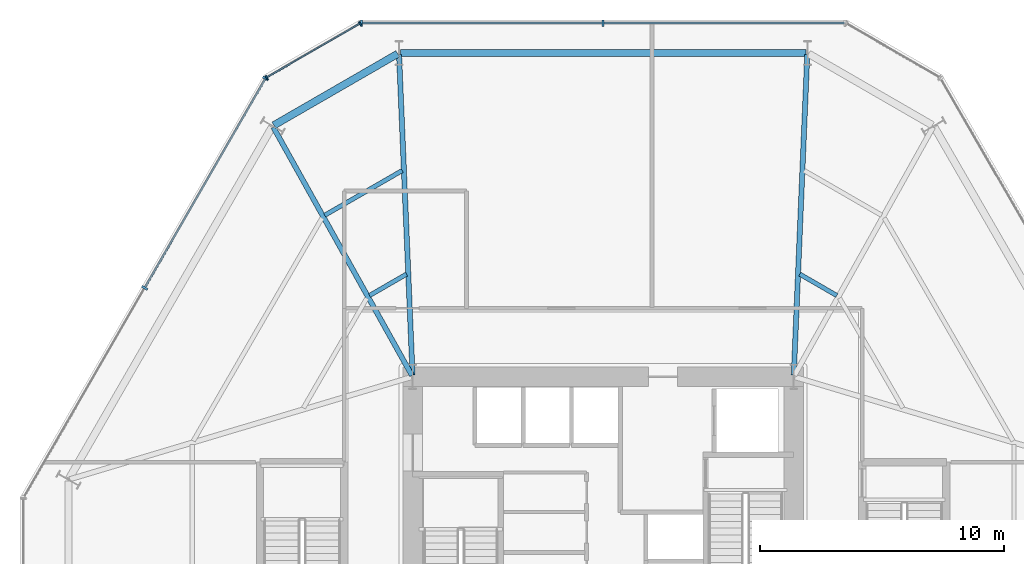
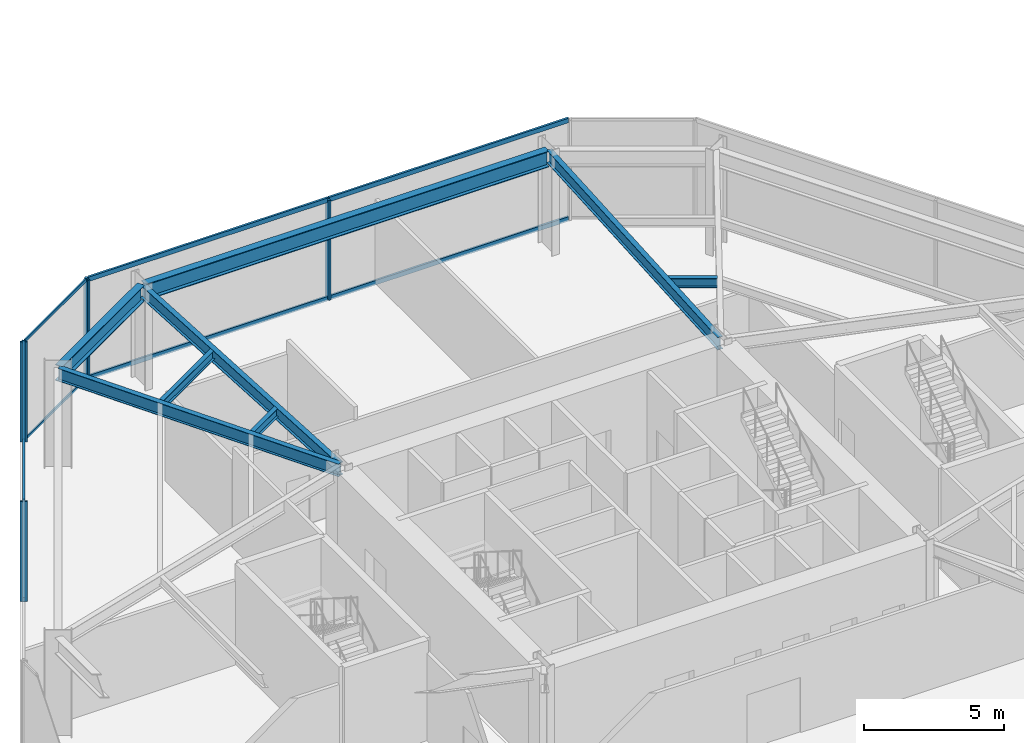
# One storey, part 12 of 23: 14 members, 8 beams, 3 elements without a shape of their own.
"""IFC4 building model written with IfcOpenShell, lengths in metres."""

from ifc_helpers import new_model, si_unit, direction, frame, origin, origin_2d, place, context, subcontext, project, spatial, rectangle, i_section, extrude, material, layer, layer_set, material_profile, profile_set, type_object, element, aggregate, save


model = new_model("IFC4")

# Units and contexts
model_context = context("Model", 3, precision=1e-05, world=origin(), true_north=direction((0.0, 1.0)))
body_context = subcontext(model_context, "Body", "Model", "MODEL_VIEW")
ifc_project = project(units=[si_unit("LENGTHUNIT", "METRE"), si_unit("AREAUNIT", "SQUARE_METRE"), si_unit("VOLUMEUNIT", "CUBIC_METRE"), si_unit("PLANEANGLEUNIT", "RADIAN"), si_unit("MASSUNIT", "GRAM", prefix="KILO")], contexts=[model_context])

# Site, building, storey
site_placement = place(None, origin())
site = spatial("IfcSite", under=ifc_project, at=site_placement, CompositionType="ELEMENT")
building_placement = place(site_placement, origin())
building = spatial("IfcBuilding", under=site, at=building_placement, Name="Kranzbogen Civic Tower", CompositionType="ELEMENT")
storey_placement = place(building_placement, frame((0.0, 0.0, 9.800048828125)))
storey = spatial("IfcBuildingStorey", under=building, at=storey_placement, Name="L02", CompositionType="ELEMENT", Elevation=9.800048828125)

# Curtain wall, members
ifc_material_1 = material(Name="Pale Anodised Aluminium", Category="aluminium")
ifc_layer_1 = layer(ifc_material_1, 0.219970703125, Name="Pale Anodised Aluminium")
ifc_layer_set_1 = layer_set([ifc_layer_1], Name="Pale Anodised Aluminium")
curtain_wall_type_1 = type_object("IfcCurtainWallType", Name="Chamfer Facet Stick Curtain Wall System CW-06", PredefinedType="USERDEFINED", material=ifc_layer_set_1)
curtain_wall_1_placement = place(storey_placement, origin())
curtain_wall_1 = element("IfcCurtainWall", 1, at=curtain_wall_1_placement, inside=storey, type_object=curtain_wall_type_1, Name="L02 curtain wall CW-L02-C2", ObjectType="STICK CURTAIN WALL", PredefinedType="USERDEFINED")
ifc_material_profile_1 = material_profile(ifc_material_1, rectangle(XDim=0.06005859375, YDim=0.159912109375, at=origin_2d()), Name="ALU-M 60x160")
ifc_profile_set_1 = profile_set([ifc_material_profile_1], Name="Pale Anodised Aluminium")
member_type_1 = type_object("IfcMemberType", Name="Curtain Wall Mullion ALU-M 60x160", PredefinedType="MULLION", material=ifc_profile_set_1)
member_1_placement = place(storey_placement, frame((15.0439453125, 46.657958984375, 0.0), z_axis=(0.0, 0.0, 1.0), x_axis=(-0.865992001897, -0.500057849305, 0.0)))
member_1 = element("IfcMember", 2, at=member_1_placement, type_object=member_type_1, Name="CW-06 mullion 1", PredefinedType="MULLION", context=body_context, shape_type="SweptSolid", body=[
    extrude(rectangle(XDim=0.06005859375, YDim=0.159912109375, at=origin_2d()), origin(), (0.0, 0.0, 1.0), 4.33984375),
])
member_2_placement = place(storey_placement, frame((11.221923828125, 44.450927734375, 0.0), z_axis=(0.0, 0.0, 1.0), x_axis=(-0.865992001897, -0.500057849305, 0.0)))
member_2 = element("IfcMember", 3, at=member_2_placement, type_object=member_type_1, Name="CW-06 mullion 2", PredefinedType="MULLION", context=body_context, shape_type="SweptSolid", body=[
    extrude(rectangle(XDim=0.06005859375, YDim=0.159912109375, at=origin_2d()), origin(), (0.0, 0.0, 1.0), 4.33984375),
])

ifc_layer_2 = layer(ifc_material_1, 0.219970703125, Name="Pale Anodised Aluminium")
ifc_layer_set_2 = layer_set([ifc_layer_2], Name="Pale Anodised Aluminium")
curtain_wall_type_2 = type_object("IfcCurtainWallType", Name="Podium Stick Curtain Wall System CW-01", PredefinedType="USERDEFINED", material=ifc_layer_set_2)
curtain_wall_2_placement = place(storey_placement, origin())
curtain_wall_2 = element("IfcCurtainWall", 4, at=curtain_wall_2_placement, inside=storey, type_object=curtain_wall_type_2, Name="L02 curtain wall CW-L02-F2", ObjectType="STICK CURTAIN WALL", PredefinedType="USERDEFINED")
ifc_material_profile_2 = material_profile(ifc_material_1, rectangle(XDim=0.0849609375, YDim=0.260009765625, at=origin_2d()), Name="ALU-M 85x260")
ifc_profile_set_2 = profile_set([ifc_material_profile_2], Name="Pale Anodised Aluminium")
member_type_2 = type_object("IfcMemberType", Name="Curtain Wall Mullion ALU-M 85x260", PredefinedType="MULLION", material=ifc_profile_set_2)
member_3_placement = place(storey_placement, frame((25.0, 46.673095703125, 0.0), z_axis=(0.0, 0.0, 1.0), x_axis=(-1.0, 0.0, 0.0)))
member_3 = element("IfcMember", 5, at=member_3_placement, type_object=member_type_2, Name="CW-01 mullion 2", PredefinedType="MULLION", context=body_context, shape_type="SweptSolid", body=[
    extrude(rectangle(XDim=0.0849609375, YDim=0.260009765625, at=origin_2d()), origin(), (0.0, 0.0, 1.0), 4.33984375),
])
member_4_placement = place(storey_placement, frame((15.10009765625, 46.673095703125, 0.0), z_axis=(0.0, 0.0, 1.0), x_axis=(-1.0, 0.0, 0.0)))
member_4 = element("IfcMember", 6, at=member_4_placement, type_object=member_type_2, Name="CW-01 mullion 3", PredefinedType="MULLION", context=body_context, shape_type="SweptSolid", body=[
    extrude(rectangle(XDim=0.0849609375, YDim=0.260009765625, at=origin_2d()), origin(), (0.0, 0.0, 1.0), 4.33984375),
])

curtain_wall_3_placement = place(storey_placement, origin())
curtain_wall_3 = element("IfcCurtainWall", 7, at=curtain_wall_3_placement, inside=storey, type_object=curtain_wall_type_2, Name="L02 curtain wall CW-L02-F3", ObjectType="STICK CURTAIN WALL", PredefinedType="USERDEFINED")
member_5_placement = place(storey_placement, frame((11.180908203125, 44.409912109375, 0.0), z_axis=(0.0, 0.0, 1.0), x_axis=(-0.500005767433, -0.86602207393, 0.0)))
member_5 = element("IfcMember", 8, at=member_5_placement, type_object=member_type_2, Name="CW-01 mullion 1", PredefinedType="MULLION", context=body_context, shape_type="SweptSolid", body=[
    extrude(rectangle(XDim=0.0849609375, YDim=0.260009765625, at=origin_2d()), origin(), (0.0, 0.0, 1.0), 4.33984375),
])
member_6_placement = place(storey_placement, frame((6.23095703125, 35.83642578125, 0.0), z_axis=(0.0, 0.0, 1.0), x_axis=(-0.500005767433, -0.86602207393, 0.0)))
member_6 = element("IfcMember", 9, at=member_6_placement, type_object=member_type_2, Name="CW-01 mullion 2", PredefinedType="MULLION", context=body_context, shape_type="SweptSolid", body=[
    extrude(rectangle(XDim=0.0849609375, YDim=0.260009765625, at=origin_2d()), origin(), (0.0, 0.0, 1.0), 4.33984375),
])

# Member
ifc_material_profile_3 = material_profile(ifc_material_1, rectangle(XDim=0.06005859375, YDim=0.1201171875, at=origin_2d()), Name="ALU-T 60x120")
ifc_profile_set_3 = profile_set([ifc_material_profile_3], Name="Pale Anodised Aluminium")
member_type_3 = type_object("IfcMemberType", Name="Curtain Wall Transom ALU-T 60x120", PredefinedType="USERDEFINED", material=ifc_profile_set_3)
member_7_placement = place(storey_placement, frame((15.01806640625, 46.64306640625, 0.030029296875), z_axis=(-0.865987588642, -0.500065492029, 0.0), x_axis=(0.500065492029, -0.865987588642, 0.0)))
member_7 = element("IfcMember", 10, at=member_7_placement, type_object=member_type_3, Name="CW-06 transom 1.1", ObjectType="TRANSOM", PredefinedType="USERDEFINED", context=body_context, shape_type="SweptSolid", body=[
    extrude(rectangle(XDim=0.06005859375, YDim=0.1201171875, at=origin_2d()), origin(), (0.0, 0.0, 1.0), 4.353515625),
])

member_8_placement = place(storey_placement, frame((15.01806640625, 46.64306640625, 4.31005859375), z_axis=(-0.865987588642, -0.500065492029, 0.0), x_axis=(0.500065492029, -0.865987588642, 0.0)))
member_8 = element("IfcMember", 11, at=member_8_placement, type_object=member_type_3, Name="CW-06 transom 1.2", ObjectType="TRANSOM", PredefinedType="USERDEFINED", context=body_context, shape_type="SweptSolid", body=[
    extrude(rectangle(XDim=0.06005859375, YDim=0.1201171875, at=origin_2d()), origin(), (0.0, 0.0, 1.0), 4.353515625),
])

aggregate(curtain_wall_1, [member_1, member_2, member_7, member_8])

ifc_material_profile_4 = material_profile(ifc_material_1, rectangle(XDim=0.0849609375, YDim=0.195068359375, at=origin_2d()), Name="ALU-T 85x195")
ifc_profile_set_4 = profile_set([ifc_material_profile_4], Name="Pale Anodised Aluminium")
member_type_4 = type_object("IfcMemberType", Name="Curtain Wall Transom ALU-T 85x195", PredefinedType="USERDEFINED", material=ifc_profile_set_4)
member_9_placement = place(storey_placement, frame((34.8701171875, 46.673095703125, 0.030029296875), z_axis=(-1.0, 0.0, 0.0), x_axis=(0.0, -1.0, 0.0)))
member_9 = element("IfcMember", 12, at=member_9_placement, type_object=member_type_4, Name="CW-01 transom 1.1", ObjectType="TRANSOM", PredefinedType="USERDEFINED", context=body_context, shape_type="SweptSolid", body=[
    extrude(rectangle(XDim=0.0849609375, YDim=0.195068359375, at=origin_2d()), origin(), (0.0, 0.0, 1.0), 9.840087890625),
])

member_10_placement = place(storey_placement, frame((34.8701171875, 46.673095703125, 4.31005859375), z_axis=(-1.0, 0.0, 0.0), x_axis=(0.0, -1.0, 0.0)))
member_10 = element("IfcMember", 13, at=member_10_placement, type_object=member_type_4, Name="CW-01 transom 1.2", ObjectType="TRANSOM", PredefinedType="USERDEFINED", context=body_context, shape_type="SweptSolid", body=[
    extrude(rectangle(XDim=0.0849609375, YDim=0.195068359375, at=origin_2d()), origin(), (0.0, 0.0, 1.0), 9.840087890625),
])

member_11_placement = place(storey_placement, frame((24.969970703125, 46.673095703125, 0.030029296875), z_axis=(-1.0, 0.0, 0.0), x_axis=(0.0, -1.0, 0.0)))
member_11 = element("IfcMember", 14, at=member_11_placement, type_object=member_type_4, Name="CW-01 transom 2.1", ObjectType="TRANSOM", PredefinedType="USERDEFINED", context=body_context, shape_type="SweptSolid", body=[
    extrude(rectangle(XDim=0.0849609375, YDim=0.195068359375, at=origin_2d()), origin(), (0.0, 0.0, 1.0), 9.840087890625),
])

member_12_placement = place(storey_placement, frame((24.969970703125, 46.673095703125, 4.31005859375), z_axis=(-1.0, 0.0, 0.0), x_axis=(0.0, -1.0, 0.0)))
member_12 = element("IfcMember", 15, at=member_12_placement, type_object=member_type_4, Name="CW-01 transom 2.2", ObjectType="TRANSOM", PredefinedType="USERDEFINED", context=body_context, shape_type="SweptSolid", body=[
    extrude(rectangle(XDim=0.0849609375, YDim=0.195068359375, at=origin_2d()), origin(), (0.0, 0.0, 1.0), 9.840087890625),
])

aggregate(curtain_wall_2, [member_3, member_4, member_9, member_10, member_11, member_12])

member_13_placement = place(storey_placement, frame((11.166015625, 44.384033203125, 0.030029296875), z_axis=(-0.500003092839, -0.866023618125, 0.0), x_axis=(0.866023618125, -0.500003092839, 0.0)))
member_13 = element("IfcMember", 16, at=member_13_placement, type_object=member_type_4, Name="CW-01 transom 1.1", ObjectType="TRANSOM", PredefinedType="USERDEFINED", context=body_context, shape_type="SweptSolid", body=[
    extrude(rectangle(XDim=0.0849609375, YDim=0.195068359375, at=origin_2d()), origin(), (0.0, 0.0, 1.0), 9.83984375),
])

member_14_placement = place(storey_placement, frame((11.166015625, 44.384033203125, 4.31005859375), z_axis=(-0.500003092839, -0.866023618125, 0.0), x_axis=(0.866023618125, -0.500003092839, 0.0)))
member_14 = element("IfcMember", 17, at=member_14_placement, type_object=member_type_4, Name="CW-01 transom 1.2", ObjectType="TRANSOM", PredefinedType="USERDEFINED", context=body_context, shape_type="SweptSolid", body=[
    extrude(rectangle(XDim=0.0849609375, YDim=0.195068359375, at=origin_2d()), origin(), (0.0, 0.0, 1.0), 9.83984375),
])

aggregate(curtain_wall_3, [member_5, member_6, member_13, member_14])

# Beams
ifc_material_2 = material(Name="Steel S355", Category="steel")
ifc_material_profile_5 = material_profile(ifc_material_2, i_section(OverallWidth=0.300048828125, OverallDepth=0.699951171875, WebThickness=0.01708984375, FlangeThickness=0.031982421875, at=origin_2d()), Name="HEB 700")
ifc_profile_set_5 = profile_set([ifc_material_profile_5], Name="Steel S355")
beam_type_1 = type_object("IfcBeamType", Name="Perimeter Tube Spandrel Beam HEB 700", PredefinedType="SPANDREL", material=ifc_profile_set_5)
beam_1_placement = place(storey_placement, frame((33.299072265625, 45.449951171875, 3.989990234375), z_axis=(-1.0, 0.0, 0.0), x_axis=(0.0, -1.0, 0.0)))
element("IfcBeam", 18, at=beam_1_placement, inside=storey, type_object=beam_type_1, Name="L02 perimeter spandrel beam 09", PredefinedType="SPANDREL", context=body_context, shape_type="SweptSolid", body=[
    extrude(i_section(OverallWidth=0.300048828125, OverallDepth=0.699951171875, WebThickness=0.01708984375, FlangeThickness=0.031982421875, at=origin_2d()), origin(), (0.0, 0.0, 1.0), 16.59814453125),
])
beam_2_placement = place(storey_placement, frame((16.589111328125, 45.419921875, 3.989990234375), z_axis=(-0.86602927387, -0.499993296755, 0.0), x_axis=(0.499993296755, -0.86602927387, 0.0)))
element("IfcBeam", 19, at=beam_2_placement, inside=storey, type_object=beam_type_1, Name="L02 perimeter spandrel beam 10", PredefinedType="SPANDREL", context=body_context, shape_type="SweptSolid", body=[
    extrude(i_section(OverallWidth=0.300048828125, OverallDepth=0.699951171875, WebThickness=0.01708984375, FlangeThickness=0.031982421875, at=origin_2d()), origin(), (0.0, 0.0, 1.0), 5.85205078125),
])
ifc_material_profile_6 = material_profile(ifc_material_2, i_section(OverallWidth=0.2099609375, OverallDepth=0.550048828125, WebThickness=0.010986328125, FlangeThickness=0.01708984375, at=origin_2d()), Name="IPE 550")
ifc_profile_set_6 = profile_set([ifc_material_profile_6], Name="Steel S355")
beam_type_2 = type_object("IfcBeamType", Name="Radial Tower Floor Girder IPE 550", PredefinedType="BEAM", material=ifc_profile_set_6)
for number, where, z_axis, x_axis, name in (
    (20, (33.35595703125, 45.389892578125, 4.06494140625), (-0.04207872602, -0.999114298174, 0.0), (0.999114298174, -0.04207872602, 0.0), "L02 radial floor girder 09"),
    (21, (16.64404296875, 45.389892578125, 4.06494140625), (0.04207872602, -0.999114298174, 0.0), (0.999114298174, 0.04207872602, 0.0), "L02 radial floor girder 10"),
):
    element("IfcBeam", number, at=place(storey_placement, frame(where, z_axis=z_axis, x_axis=x_axis)), inside=storey, type_object=beam_type_2, Name=name, PredefinedType="BEAM", context=body_context, shape_type="SweptSolid", body=[
        extrude(i_section(OverallWidth=0.2099609375, OverallDepth=0.550048828125, WebThickness=0.010986328125, FlangeThickness=0.01708984375, at=origin_2d()), origin(), (0.0, 0.0, 1.0), 13.1416015625),
    ])
beam_3_placement = place(storey_placement, frame((11.498046875, 42.412109375, 4.06494140625), z_axis=(0.487501570266, -0.87312211001, 0.0), x_axis=(0.87312211001, 0.487501570266, 0.0)))
element("IfcBeam", 22, at=beam_3_placement, inside=storey, type_object=beam_type_2, Name="L02 radial floor girder 11", PredefinedType="BEAM", context=body_context, shape_type="SweptSolid", body=[
    extrude(i_section(OverallWidth=0.2099609375, OverallDepth=0.550048828125, WebThickness=0.010986328125, FlangeThickness=0.01708984375, at=origin_2d()), origin(), (0.0, 0.0, 1.0), 11.636474609375),
])
ifc_material_profile_7 = material_profile(ifc_material_2, i_section(OverallWidth=0.179931640625, OverallDepth=0.39990234375, WebThickness=0.008544921875, FlangeThickness=0.013427734375, at=origin_2d()), Name="IPE 400")
ifc_profile_set_7 = profile_set([ifc_material_profile_7], Name="Steel S355")
beam_type_3 = type_object("IfcBeamType", Name="Secondary Composite Floor Joist IPE 400", PredefinedType="JOIST", material=ifc_profile_set_7)
beam_4_placement = place(storey_placement, frame((34.56494140625, 35.52392578125, 4.139892578125), z_axis=(-0.86596970562, 0.500096459644, 0.0), x_axis=(-0.500096459644, -0.86596970562, 0.0)))
element("IfcBeam", 23, at=beam_4_placement, inside=storey, type_object=beam_type_3, Name="L02 secondary floor joist 2.08", PredefinedType="JOIST", context=body_context, shape_type="SweptSolid", body=[
    extrude(i_section(OverallWidth=0.179931640625, OverallDepth=0.39990234375, WebThickness=0.008544921875, FlangeThickness=0.013427734375, at=origin_2d()), origin(), (0.0, 0.0, 1.0), 1.751708984375),
])
beam_5_placement = place(storey_placement, frame((16.77294921875, 40.639892578125, 4.139892578125), z_axis=(-0.866081244924, -0.499903267833, 0.0), x_axis=(0.499903267833, -0.866081244924, 0.0)))
element("IfcBeam", 24, at=beam_5_placement, inside=storey, type_object=beam_type_3, Name="L02 secondary floor joist 1.10", PredefinedType="JOIST", context=body_context, shape_type="SweptSolid", body=[
    extrude(i_section(OverallWidth=0.179931640625, OverallDepth=0.39990234375, WebThickness=0.008544921875, FlangeThickness=0.013427734375, at=origin_2d()), origin(), (0.0, 0.0, 1.0), 3.662353515625),
])
beam_6_placement = place(storey_placement, frame((16.951904296875, 36.39990234375, 4.139892578125), z_axis=(-0.86596970562, -0.500096459644, 0.0), x_axis=(0.500096459644, -0.86596970562, 0.0)))
element("IfcBeam", 25, at=beam_6_placement, inside=storey, type_object=beam_type_3, Name="L02 secondary floor joist 2.10", PredefinedType="JOIST", context=body_context, shape_type="SweptSolid", body=[
    extrude(i_section(OverallWidth=0.179931640625, OverallDepth=0.39990234375, WebThickness=0.008544921875, FlangeThickness=0.013427734375, at=origin_2d()), origin(), (0.0, 0.0, 1.0), 1.751708984375),
])

save(model, "model.ifc")
